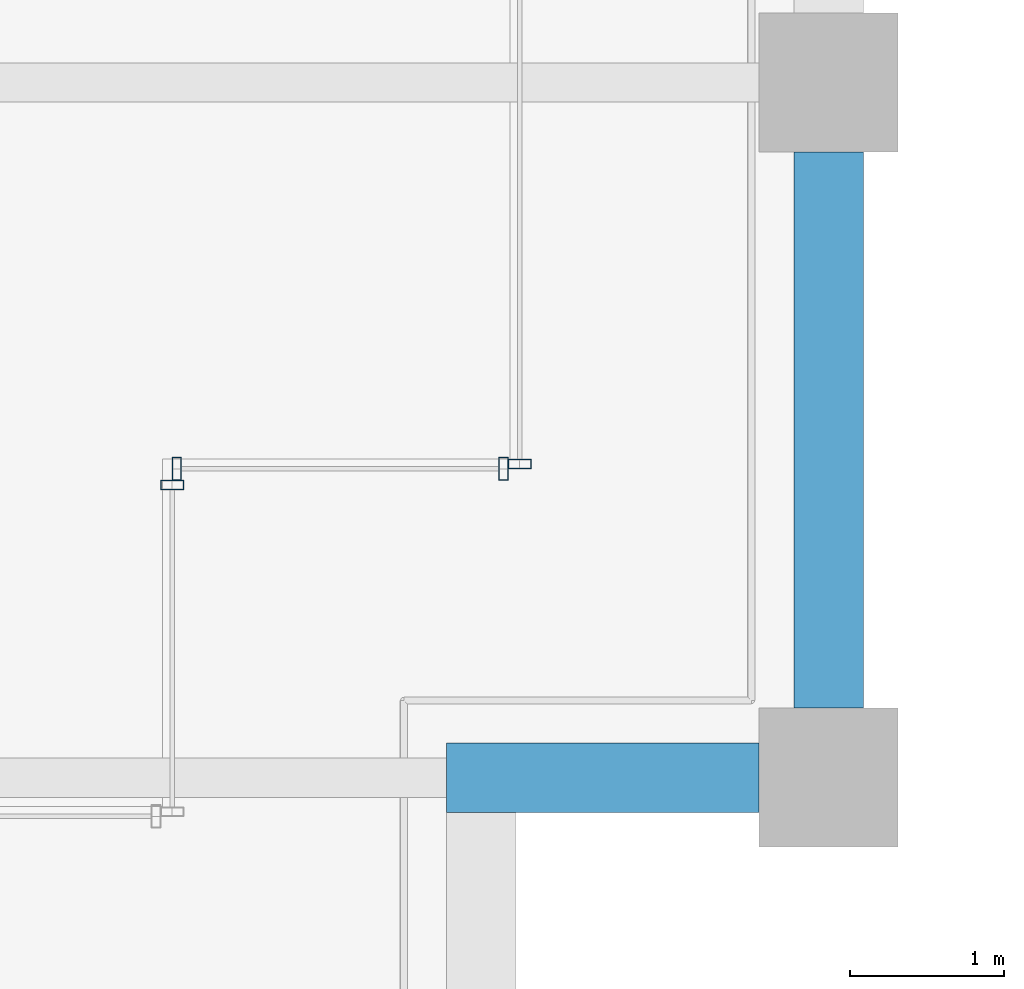
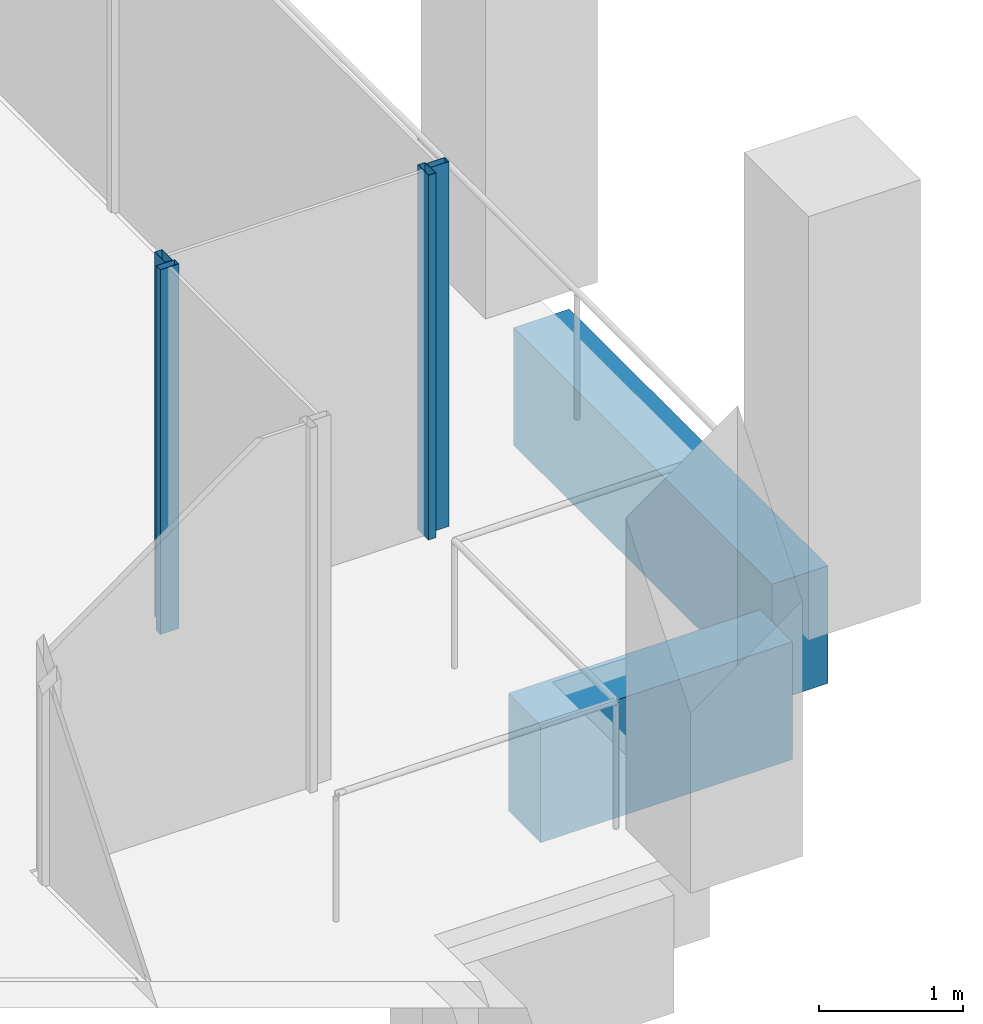
# One storey, part 13 of 40: 4 members, 2 beams, 3 elements without a shape of their own.
"""IFC4 building model written with IfcOpenShell, lengths in metres."""

from ifc_helpers import new_model, si_unit, direction, frame, origin, origin_2d, place, context, subcontext, project, spatial, rectangle, hollow_rectangle, extrude, material, material_profile, profile_set, type_object, element, aggregate, save


model = new_model("IFC4")

# Units and contexts
model_context = context("Model", 3, precision=1e-05, world=origin(), true_north=direction((0.0, 1.0)))
body_context = subcontext(model_context, "Body", "Model", "MODEL_VIEW")
ifc_project = project(units=[si_unit("LENGTHUNIT", "METRE"), si_unit("AREAUNIT", "SQUARE_METRE"), si_unit("VOLUMEUNIT", "CUBIC_METRE"), si_unit("PLANEANGLEUNIT", "RADIAN"), si_unit("MASSUNIT", "GRAM", prefix="KILO")], contexts=[model_context])

# Site, building, storey
site_placement = place(None, origin())
site = spatial("IfcSite", under=ifc_project, at=site_placement, CompositionType="ELEMENT")
building_placement = place(site_placement, origin())
building = spatial("IfcBuilding", under=site, at=building_placement, Name="Altepetl Exchange Towers", CompositionType="ELEMENT")
storey_placement = place(building_placement, frame((0.0, 0.0, 161.800048828125)))
storey = spatial("IfcBuildingStorey", under=building, at=storey_placement, Name="L40", CompositionType="ELEMENT", Elevation=161.800048828125)

# Curtain wall, member
ifc_material_1 = material(Name="Aluminium 6063-T6 glazing", Category="aluminium")
curtain_wall_type = type_object("IfcCurtainWallType", Name="Loggia glazing system", PredefinedType="NOTDEFINED", material=ifc_material_1)
curtain_wall_1_placement = place(storey_placement, origin())
curtain_wall_1 = element("IfcCurtainWall", 1, at=curtain_wall_1_placement, inside=storey, type_object=curtain_wall_type, Name="CW1 run", PredefinedType="NOTDEFINED")
ifc_material_2 = material(Name="Aluminium 6063-T6", Category="aluminium")
ifc_material_profile_1 = material_profile(ifc_material_2, hollow_rectangle(XDim=0.06005859375, YDim=0.14990234375, WallThickness=0.0029296875, at=origin_2d()), Name="Mullion 60x150 aluminium")
ifc_profile_set_1 = profile_set([ifc_material_profile_1], Name="Aluminium 6063-T6")
member_type = type_object("IfcMemberType", Name="Mullion 60x150 aluminium", PredefinedType="MULLION", material=ifc_profile_set_1)
member_1_placement = place(storey_placement, frame((67.75, 33.39501953125, 0.0), z_axis=(0.0, 0.0, 1.0), x_axis=(0.0, 1.0, 0.0)))
member_1 = element("IfcMember", 2, at=member_1_placement, type_object=member_type, Name="MU1 mullion", PredefinedType="MULLION", context=body_context, shape_type="SweptSolid", body=[
    extrude(hollow_rectangle(XDim=0.06005859375, YDim=0.14990234375, WallThickness=0.0029296875, at=origin_2d()), origin(), (0.0, 0.0, 1.0), 3.099853515625),
])
aggregate(curtain_wall_1, [member_1])

# Curtain wall, members
curtain_wall_2_placement = place(storey_placement, origin())
curtain_wall_2 = element("IfcCurtainWall", 3, at=curtain_wall_2_placement, inside=storey, type_object=curtain_wall_type, Name="CW1 run", PredefinedType="NOTDEFINED")
member_2_placement = place(storey_placement, frame((67.780029296875, 33.5, 0.0)))
member_2 = element("IfcMember", 4, at=member_2_placement, type_object=member_type, Name="MU1 mullion", PredefinedType="MULLION", context=body_context, shape_type="SweptSolid", body=[
    extrude(hollow_rectangle(XDim=0.06005859375, YDim=0.14990234375, WallThickness=0.0029296875, at=origin_2d()), origin(), (0.0, 0.0, 1.0), 3.099853515625),
])
member_3_placement = place(storey_placement, frame((69.89501953125, 33.5, 0.0)))
member_3 = element("IfcMember", 5, at=member_3_placement, type_object=member_type, Name="MU1 mullion", PredefinedType="MULLION", context=body_context, shape_type="SweptSolid", body=[
    extrude(hollow_rectangle(XDim=0.06005859375, YDim=0.14990234375, WallThickness=0.0029296875, at=origin_2d()), origin(), (0.0, 0.0, 1.0), 3.099853515625),
])
aggregate(curtain_wall_2, [member_2, member_3])

# Curtain wall, member
curtain_wall_3_placement = place(storey_placement, origin())
curtain_wall_3 = element("IfcCurtainWall", 6, at=curtain_wall_3_placement, inside=storey, type_object=curtain_wall_type, Name="CW1 run", PredefinedType="NOTDEFINED")
member_4_placement = place(storey_placement, frame((70.0, 33.530029296875, 0.0), z_axis=(0.0, 0.0, 1.0), x_axis=(0.0, 1.0, 0.0)))
member_4 = element("IfcMember", 7, at=member_4_placement, type_object=member_type, Name="MU1 mullion", PredefinedType="MULLION", context=body_context, shape_type="SweptSolid", body=[
    extrude(hollow_rectangle(XDim=0.06005859375, YDim=0.14990234375, WallThickness=0.0029296875, at=origin_2d()), origin(), (0.0, 0.0, 1.0), 3.099853515625),
])
aggregate(curtain_wall_3, [member_4])

# Beams
ifc_material_3 = material(Name="Concrete C50/60 precast with cantera amarilla facing", Category="concrete")
ifc_material_profile_2 = material_profile(ifc_material_3, rectangle(XDim=0.449951171875, YDim=1.0, at=origin_2d()), Name="450 x 1000")
ifc_profile_set_2 = profile_set([ifc_material_profile_2], Name="Concrete C50/60 precast with cantera amarilla facing")
beam_type = type_object("IfcBeamType", Name="Spandrel beam 450x1000 cantera amarilla", PredefinedType="SPANDREL", material=ifc_profile_set_2)
beam_1_placement = place(storey_placement, frame((69.52490234375, 31.5, -0.650146484375), z_axis=(1.0, 0.0, 0.0), x_axis=(0.0, 1.0, 0.0)))
element("IfcBeam", 8, at=beam_1_placement, inside=storey, type_object=beam_type, Name="sp:A:L40:011", PredefinedType="SPANDREL", context=body_context, shape_type="SweptSolid", body=[
    extrude(rectangle(XDim=0.449951171875, YDim=1.0, at=origin_2d()), origin(), (0.0, 0.0, 1.0), 2.025146484375),
])
beam_2_placement = place(storey_placement, frame((72.0, 31.949951171875, -0.650146484375), z_axis=(0.0, 1.0, 0.0), x_axis=(-1.0, 0.0, 0.0)))
element("IfcBeam", 9, at=beam_2_placement, inside=storey, type_object=beam_type, Name="sp:A:L40:012", PredefinedType="SPANDREL", context=body_context, shape_type="SweptSolid", body=[
    extrude(rectangle(XDim=0.449951171875, YDim=1.0, at=origin_2d()), origin(), (0.0, 0.0, 1.0), 3.60009765625),
])

save(model, "model.ifc")
